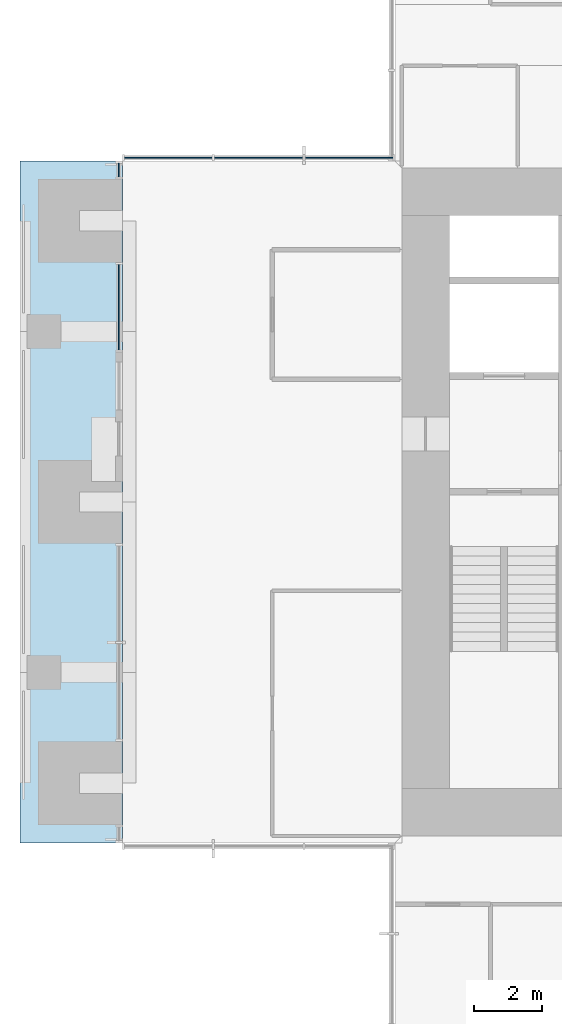
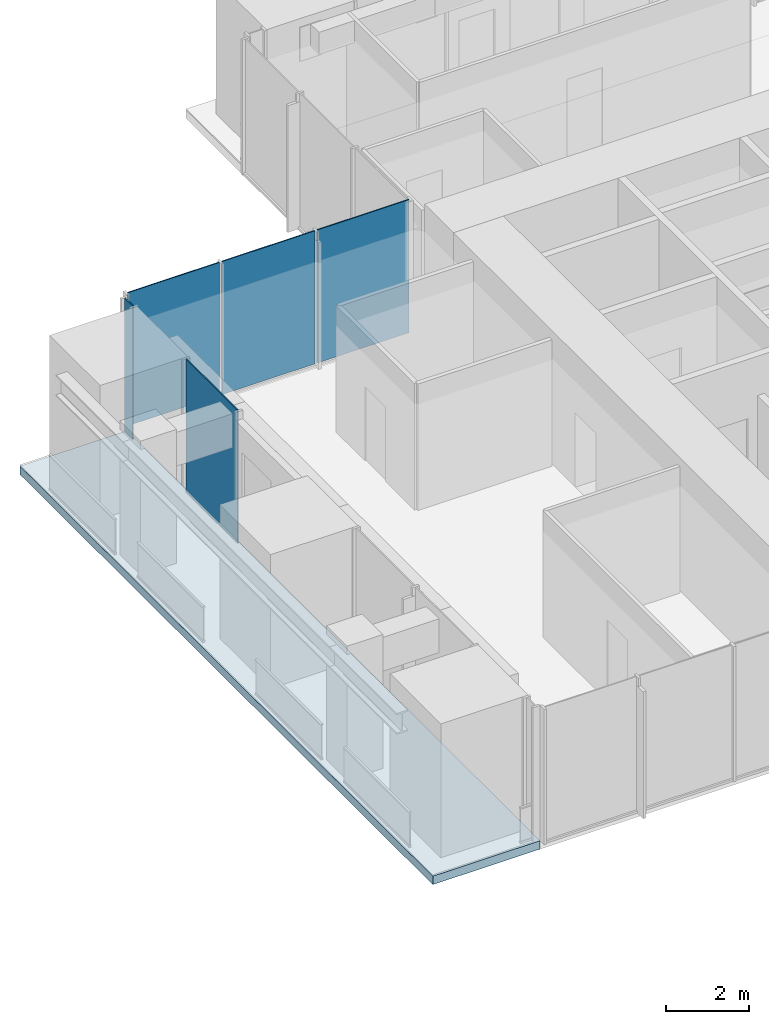
# One storey, part 8 of 17: 5 plates, 1 slab, 3 elements without a shape of their own.
"""IFC4 building model written with IfcOpenShell, lengths in metres."""

from ifc_helpers import new_model, si_unit, direction, frame, origin, origin_2d, place, context, subcontext, project, spatial, polyline, rectangle, outline, extrude, material, layer, layer_set, type_object, element, aggregate, save


model = new_model("IFC4")

# Units and contexts
model_context = context("Model", 3, precision=1e-05, world=origin(), true_north=direction((0.0, 1.0)))
body_context = subcontext(model_context, "Body", "Model", "MODEL_VIEW")
ifc_project = project(units=[si_unit("LENGTHUNIT", "METRE"), si_unit("AREAUNIT", "SQUARE_METRE"), si_unit("VOLUMEUNIT", "CUBIC_METRE"), si_unit("PLANEANGLEUNIT", "RADIAN"), si_unit("MASSUNIT", "GRAM", prefix="KILO")], contexts=[model_context])

# Site, building, storey
site_placement = place(None, origin())
site = spatial("IfcSite", under=ifc_project, at=site_placement, CompositionType="ELEMENT")
building_placement = place(site_placement, origin())
building = spatial("IfcBuilding", under=site, at=building_placement, Name="Svetlomir Tower", CompositionType="ELEMENT")
storey_placement = place(building_placement, frame((0.0, 0.0, 174.5)))
storey = spatial("IfcBuildingStorey", under=building, at=storey_placement, Name="L41", CompositionType="ELEMENT", Elevation=174.5)

# Curtain wall, plates
ifc_material_1 = material(Name="Bronze anodised aluminium curtain wall", Category="aluminium")
curtain_wall_type = type_object("IfcCurtainWallType", Name="CURTAIN WALL CW1 TOWER OFFICE", PredefinedType="NOTDEFINED", material=ifc_material_1)
curtain_wall_1_placement = place(storey_placement, origin())
curtain_wall_1 = element("IfcCurtainWall", 1, at=curtain_wall_1_placement, inside=storey, type_object=curtain_wall_type, Name="Curtain wall CW1 L41", PredefinedType="NOTDEFINED")
ifc_material_2 = material(Name="Tinted double glazed unit", Category="glass")
ifc_layer_1 = layer(ifc_material_2, 0.031982421875)
ifc_layer_set_1 = layer_set([ifc_layer_1], Name="Tinted double glazed unit")
plate_type = type_object("IfcPlateType", Name="CW1 GLAZED PANEL 32", PredefinedType="CURTAIN_PANEL", material=ifc_layer_set_1)
plate_1_placement = place(storey_placement, frame((9.650390625, 31.10009765625, 0.06494140625), z_axis=(0.0, 0.0, 1.0), x_axis=(-1.0, 0.0, 0.0)))
plate_1 = element("IfcPlate", 2, at=plate_1_placement, type_object=plate_type, Name="CW1 panel 1.1", PredefinedType="CURTAIN_PANEL", context=body_context, shape_type="SweptSolid", body=[
    extrude(rectangle(XDim=2.569091796875, YDim=0.031982421875, at=origin_2d()), origin(), (0.0, 0.0, 1.0), 3.93505859375),
])
plate_2_placement = place(storey_placement, frame((7.0, 31.10009765625, 0.06494140625), z_axis=(0.0, 0.0, 1.0), x_axis=(-1.0, 0.0, 0.0)))
plate_2 = element("IfcPlate", 3, at=plate_2_placement, type_object=plate_type, Name="CW1 panel 2.1", PredefinedType="CURTAIN_PANEL", context=body_context, shape_type="SweptSolid", body=[
    extrude(rectangle(XDim=2.6015625, YDim=0.031982421875, at=origin_2d()), origin(), (0.0, 0.0, 1.0), 3.93505859375),
])
plate_3_placement = place(storey_placement, frame((4.349609375, 31.10009765625, 0.06494140625), z_axis=(0.0, 0.0, 1.0), x_axis=(-1.0, 0.0, 0.0)))
plate_3 = element("IfcPlate", 4, at=plate_3_placement, type_object=plate_type, Name="CW1 panel 3.1", PredefinedType="CURTAIN_PANEL", context=body_context, shape_type="SweptSolid", body=[
    extrude(rectangle(XDim=2.569091796875, YDim=0.031982421875, at=origin_2d()), origin(), (0.0, 0.0, 1.0), 3.93505859375),
])
aggregate(curtain_wall_1, [plate_1, plate_2, plate_3])

# Curtain wall, plate
curtain_wall_2_placement = place(storey_placement, origin())
curtain_wall_2 = element("IfcCurtainWall", 5, at=curtain_wall_2_placement, inside=storey, type_object=curtain_wall_type, Name="Curtain wall CW1 L41", PredefinedType="NOTDEFINED")
plate_4_placement = place(storey_placement, frame((2.89990234375, 30.737548828125, 0.06494140625), z_axis=(0.0, 0.0, 1.0), x_axis=(0.0, -1.0, 0.0)))
plate_4 = element("IfcPlate", 6, at=plate_4_placement, type_object=plate_type, Name="CW1 panel 1.1", PredefinedType="CURTAIN_PANEL", context=body_context, shape_type="SweptSolid", body=[
    extrude(rectangle(XDim=0.39501953125, YDim=0.031982421875, at=origin_2d()), origin(), (0.0, 0.0, 1.0), 3.93505859375),
])
aggregate(curtain_wall_2, [plate_4])

curtain_wall_3_placement = place(storey_placement, origin())
curtain_wall_3 = element("IfcCurtainWall", 7, at=curtain_wall_3_placement, inside=storey, type_object=curtain_wall_type, Name="Curtain wall CW1 L41", PredefinedType="NOTDEFINED")
plate_5_placement = place(storey_placement, frame((2.89990234375, 26.71240234375, 0.06494140625), z_axis=(0.0, 0.0, 1.0), x_axis=(0.0, -1.0, 0.0)))
plate_5 = element("IfcPlate", 8, at=plate_5_placement, type_object=plate_type, Name="CW1 panel 1.1", PredefinedType="CURTAIN_PANEL", context=body_context, shape_type="SweptSolid", body=[
    extrude(rectangle(XDim=2.4951171875, YDim=0.031982421875, at=origin_2d()), origin(), (0.0, 0.0, 1.0), 3.93505859375),
])
aggregate(curtain_wall_3, [plate_5])

# Slab
ifc_material_3 = material(Name="Concrete C60/75", Category="concrete")
ifc_layer_2 = layer(ifc_material_3, 0.25)
ifc_layer_set_2 = layer_set([ifc_layer_2], Name="Concrete C60/75")
slab_type = type_object("IfcSlabType", Name="PLANTED LOGGIA SLAB 250", PredefinedType="FLOOR", material=ifc_layer_set_2)
slab_placement = place(storey_placement, frame((0.0, 0.0, -0.25)))
element("IfcSlab", 9, at=slab_placement, inside=storey, type_object=slab_type, Name="L41 W planted loggia", PredefinedType="FLOOR", context=body_context, shape_type="SweptSolid", body=[
    extrude(outline(polyline([(0.0, 11.0), (3.0, 11.0), (3.0, 31.0), (0.0, 31.0), (0.0, 11.0)])), origin(), (0.0, 0.0, 1.0), 0.25),
])

save(model, "model.ifc")
